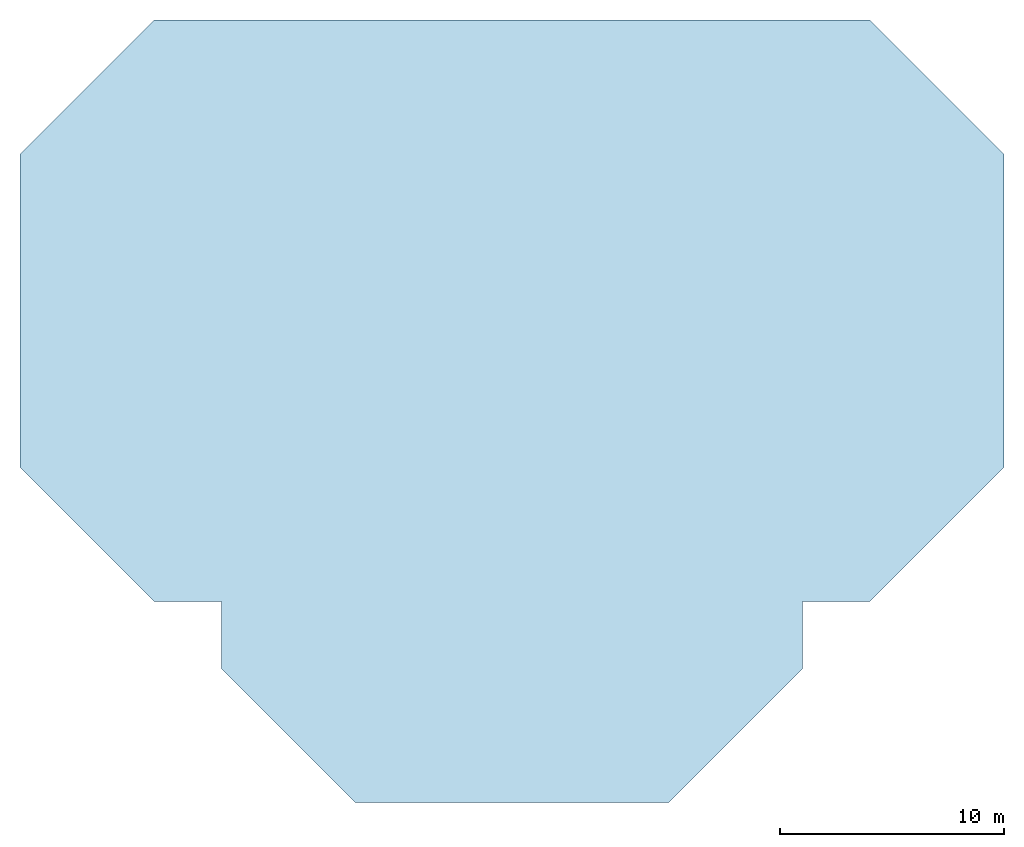
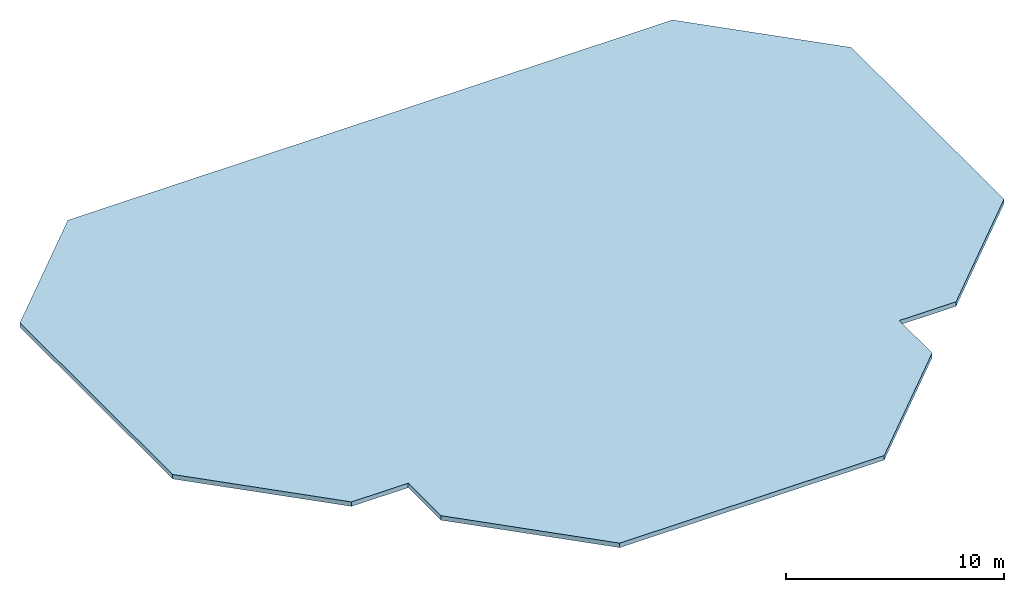
# One storey: 1 slab.
"""IFC4 building model written with IfcOpenShell, lengths in metres."""

from ifc_helpers import new_model, si_unit, direction, frame, origin, place, context, subcontext, project, spatial, polyline, outline, extrude, material, layer, layer_set, type_object, element, save


model = new_model("IFC4")

# Units and contexts
model_context = context("Model", 3, precision=1e-05, world=origin(), true_north=direction((0.0, 1.0)))
body_context = subcontext(model_context, "Body", "Model", "MODEL_VIEW")
ifc_project = project(units=[si_unit("LENGTHUNIT", "METRE"), si_unit("AREAUNIT", "SQUARE_METRE"), si_unit("VOLUMEUNIT", "CUBIC_METRE"), si_unit("PLANEANGLEUNIT", "RADIAN"), si_unit("MASSUNIT", "GRAM", prefix="KILO")], contexts=[model_context])

# Site, building, storey
site_placement = place(None, origin())
site = spatial("IfcSite", under=ifc_project, at=site_placement, CompositionType="ELEMENT")
building_placement = place(site_placement, origin())
building = spatial("IfcBuilding", under=site, at=building_placement, Name="Mizan Broadcast Tower", CompositionType="ELEMENT")
storey_placement = place(building_placement, frame((0.0, 0.0, 316.300048828125)))
storey = spatial("IfcBuildingStorey", under=building, at=storey_placement, Name="ROOF", CompositionType="ELEMENT", Elevation=316.300048828125)

# Slab
ifc_material = material(Name="Concrete C32/40", Category="concrete")
ifc_layer = layer(ifc_material, 0.25)
ifc_layer_set = layer_set([ifc_layer], Name="Concrete C32/40")
slab_type = type_object("IfcSlabType", Name="ROOF SLAB ON DECK 250", PredefinedType="ROOF", material=ifc_layer_set)
slab_placement = place(storey_placement, frame((0.0, 0.0, -0.25)))
element("IfcSlab", 1, at=slab_placement, inside=storey, type_object=slab_type, Name="Lantern roof slab", PredefinedType="ROOF", context=body_context, shape_type="SweptSolid", body=[
    extrude(outline(polyline([(13.0, -13.0), (16.0, -13.0), (22.0, -7.0), (22.0, 7.0), (16.0, 13.0), (13.0, 13.0), (-13.0, 13.0), (-16.0, 13.0), (-22.0, 7.0), (-22.0, -7.0), (-16.0, -13.0), (-13.0, -13.0), (-13.0, -16.0), (-7.0, -22.0), (7.0, -22.0), (13.0, -16.0), (13.0, -13.0)])), origin(), (0.0, 0.0, 1.0), 0.25),
])

save(model, "model.ifc")
